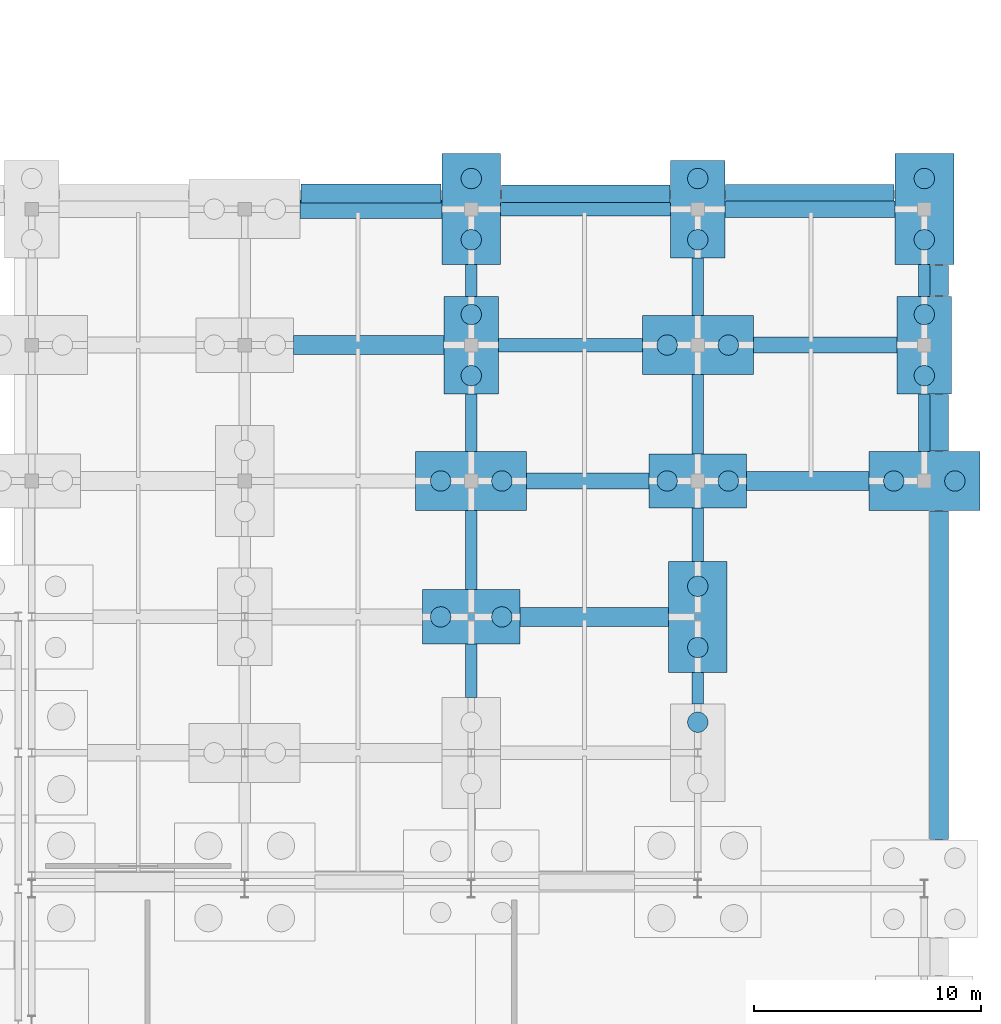
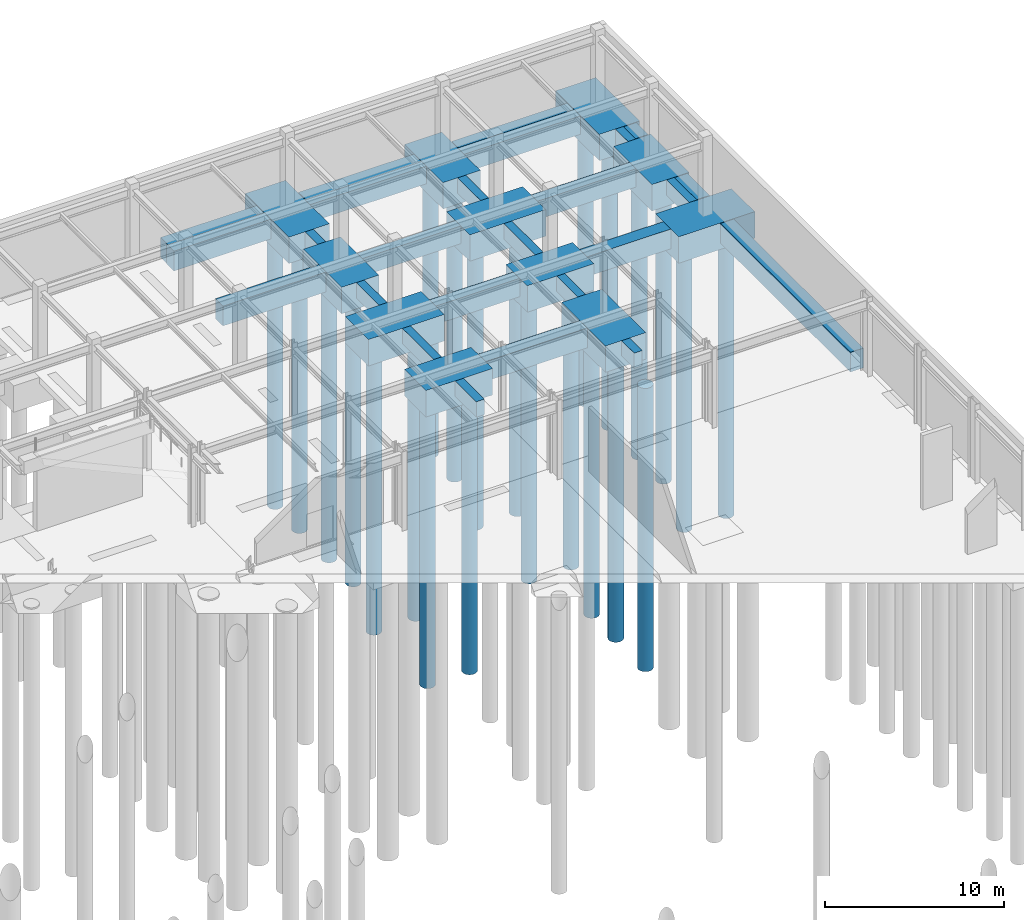
# One storey, part 12 of 65: 36 footings, 23 piles.
"""IFC4 building model written with IfcOpenShell, lengths in metres."""

from ifc_helpers import new_model, si_unit, direction, frame, origin, origin_2d, place, context, subcontext, project, spatial, rectangle, circle, extrude, material, material_profile, profile_set, type_object, element, save


model = new_model("IFC4")

# Units and contexts
model_context = context("Model", 3, precision=1e-05, world=origin(), true_north=direction((0.0, 1.0)))
body_context = subcontext(model_context, "Body", "Model", "MODEL_VIEW")
ifc_project = project(units=[si_unit("LENGTHUNIT", "METRE"), si_unit("AREAUNIT", "SQUARE_METRE"), si_unit("VOLUMEUNIT", "CUBIC_METRE"), si_unit("PLANEANGLEUNIT", "RADIAN"), si_unit("MASSUNIT", "GRAM", prefix="KILO")], contexts=[model_context])

# Site, building, storey
site_placement = place(None, origin())
site = spatial("IfcSite", under=ifc_project, at=site_placement, CompositionType="ELEMENT")
building_placement = place(site_placement, origin())
building = spatial("IfcBuilding", under=site, at=building_placement, Name="Kaldris Quays Convention Centre", CompositionType="ELEMENT")
storey_placement = place(building_placement, frame((0.0, 0.0, -5.39990234375)))
storey = spatial("IfcBuildingStorey", under=building, at=storey_placement, Name="B1", CompositionType="ELEMENT", Elevation=-5.39990234375)

# Piles
ifc_material = material(Name="Concrete C35/45", Category="concrete")
ifc_material_profile = material_profile(ifc_material, circle(Radius=0.449951171875, at=origin_2d()), Name="BORED PILE D900")
ifc_profile_set = profile_set([ifc_material_profile], Name="Concrete C35/45")
pile_type = type_object("IfcPileType", Name="BORED PILE P01", PredefinedType="BORED", material=ifc_profile_set)
for number, where, z_axis, x_axis, name in (
    (1, (182.64990234375, 116.0, -1.7001953125), (0.0, 0.0, -1.0), (1.0, 0.0, 0.0), "Bored Pile P01 689"),
    (2, (185.35009765625, 116.0, -1.7001953125), (0.0, 0.0, -1.0), (1.0, 0.0, 0.0), "Bored Pile P01 690"),
    (3, (182.64990234375, 122.0, -1.7001953125), (0.0, 0.0, -1.0), (1.0, 0.0, 0.0), "Bored Pile P01 691"),
    (4, (185.35009765625, 122.0, -1.7001953125), (0.0, 0.0, -1.0), (1.0, 0.0, 0.0), "Bored Pile P01 692"),
    (5, (184.0, 126.64990234375, -1.7001953125), (0.0, 0.0, -1.0), (1.0, 0.0, 0.0), "Bored Pile P01 693"),
    (6, (184.0, 129.35009765625, -1.7001953125), (0.0, 0.0, -1.0), (1.0, 0.0, 0.0), "Bored Pile P01 694"),
    (7, (184.0, 132.64990234375, -1.7001953125), (0.0, 0.0, -1.0), (1.0, 0.0, 0.0), "Bored Pile P01 695"),
    (8, (184.0, 135.35009765625, -1.7001953125), (0.0, 0.0, -1.0), (1.0, 0.0, 0.0), "Bored Pile P01 696"),
    (9, (194.0, 111.35009765625, -1.7001953125), (0.0, 0.0, -1.0), (1.0, 0.0, 0.0), "Bored Pile P01 724"),
    (10, (194.0, 114.64990234375, -1.7001953125), (0.0, 0.0, -1.0), (1.0, 0.0, 0.0), "Bored Pile P01 725"),
    (11, (194.0, 117.35009765625, -1.7001953125), (0.0, 0.0, -1.0), (1.0, 0.0, 0.0), "Bored Pile P01 726"),
    (12, (192.64990234375, 122.0, -1.7001953125), (0.0, 0.0, -1.0), (1.0, 0.0, 0.0), "Bored Pile P01 727"),
    (13, (195.35009765625, 122.0, -1.7001953125), (0.0, 0.0, -1.0), (1.0, 0.0, 0.0), "Bored Pile P01 728"),
    (14, (192.64990234375, 128.0, -1.7001953125), (0.0, 0.0, -1.0), (1.0, 0.0, 0.0), "Bored Pile P01 729"),
    (15, (195.35009765625, 128.0, -1.7001953125), (0.0, 0.0, -1.0), (1.0, 0.0, 0.0), "Bored Pile P01 730"),
    (16, (194.0, 132.64990234375, -1.7001953125), (0.0, 0.0, -1.0), (1.0, 0.0, 0.0), "Bored Pile P01 731"),
    (17, (194.0, 135.35009765625, -1.7001953125), (0.0, 0.0, -1.0), (1.0, 0.0, 0.0), "Bored Pile P01 732"),
    (18, (202.64990234375, 122.0, -1.7001953125), (0.0, 0.0, -1.0), (1.0, 0.0, 0.0), "Bored Pile P01 779"),
    (19, (205.35009765625, 122.0, -1.7001953125), (0.0, 0.0, -1.0), (1.0, 0.0, 0.0), "Bored Pile P01 780"),
    (20, (204.0, 126.64990234375, -1.7001953125), (0.0, 0.0, -1.0), (1.0, 0.0, 0.0), "Bored Pile P01 781"),
    (21, (204.0, 129.35009765625, -1.7001953125), (0.0, 0.0, -1.0), (1.0, 0.0, 0.0), "Bored Pile P01 782"),
    (22, (204.0, 132.64990234375, -1.7001953125), (0.0, 0.0, -1.0), (1.0, 0.0, 0.0), "Bored Pile P01 783"),
    (23, (204.0, 135.35009765625, -1.7001953125), (0.0, 0.0, -1.0), (1.0, 0.0, 0.0), "Bored Pile P01 784"),
):
    element("IfcPile", number, at=place(storey_placement, frame(where, z_axis=z_axis, x_axis=x_axis)), inside=storey, type_object=pile_type, Name=name, PredefinedType="BORED", context=body_context, shape_type="SweptSolid", body=[
        extrude(circle(Radius=0.449951171875, at=origin_2d()), origin(), (0.0, 0.0, 1.0), 19.300048828125),
    ])

# Footings
footing_type_1 = type_object("IfcFootingType", Name="CONCRETE FOOTING PC02", PredefinedType="PILE_CAP", material=ifc_material)
for number, where, z_axis, x_axis, name in (
    (24, (184.0, 116.0, -1.80029296875), (0.0, 0.0, 1.0), (1.0, 0.0, 0.0), "Pile Cap CAP-205 (PC02)"),
    (25, (194.0, 122.0, -1.80029296875), (0.0, 0.0, 1.0), (1.0, 0.0, 0.0), "Pile Cap CAP-221 (PC02)"),
):
    element("IfcFooting", number, at=place(storey_placement, frame(where, z_axis=z_axis, x_axis=x_axis)), inside=storey, type_object=footing_type_1, Name=name, PredefinedType="PILE_CAP", context=body_context, shape_type="SweptSolid", body=[
        extrude(rectangle(XDim=4.300048828125, YDim=2.39990234375, at=origin_2d()), origin(), (0.0, 0.0, 1.0), 1.800048828125),
    ])
footing_type_2 = type_object("IfcFootingType", Name="CONCRETE FOOTING PC03", PredefinedType="PILE_CAP", material=ifc_material)
for number, where, z_axis, x_axis, name in (
    (26, (184.0, 128.0, -1.80029296875), (0.0, 0.0, 1.0), (1.0, 0.0, 0.0), "Pile Cap CAP-207 (PC03)"),
    (27, (194.0, 134.0, -1.80029296875), (0.0, 0.0, 1.0), (1.0, 0.0, 0.0), "Pile Cap CAP-223 (PC03)"),
    (28, (204.0, 128.0, -1.80029296875), (0.0, 0.0, 1.0), (1.0, 0.0, 0.0), "Pile Cap CAP-239 (PC03)"),
):
    element("IfcFooting", number, at=place(storey_placement, frame(where, z_axis=z_axis, x_axis=x_axis)), inside=storey, type_object=footing_type_2, Name=name, PredefinedType="PILE_CAP", context=body_context, shape_type="SweptSolid", body=[
        extrude(rectangle(XDim=2.39990234375, YDim=4.300048828125, at=origin_2d()), origin(), (0.0, 0.0, 1.0), 1.800048828125),
    ])
footing_type_3 = type_object("IfcFootingType", Name="CONCRETE FOOTING PC11", PredefinedType="PILE_CAP", material=ifc_material)
for number, where, z_axis, x_axis, name in (
    (29, (184.0, 122.0, -1.80029296875), (0.0, 0.0, 1.0), (1.0, 0.0, 0.0), "Pile Cap CAP-206 (PC11)"),
    (30, (194.0, 128.0, -1.80029296875), (0.0, 0.0, 1.0), (1.0, 0.0, 0.0), "Pile Cap CAP-222 (PC11)"),
    (31, (204.0, 122.0, -1.80029296875), (0.0, 0.0, 1.0), (1.0, 0.0, 0.0), "Pile Cap CAP-238 (PC11)"),
):
    element("IfcFooting", number, at=place(storey_placement, frame(where, z_axis=z_axis, x_axis=x_axis)), inside=storey, type_object=footing_type_3, Name=name, PredefinedType="PILE_CAP", context=body_context, shape_type="SweptSolid", body=[
        extrude(rectangle(XDim=4.89990234375, YDim=2.60009765625, at=origin_2d()), origin(), (0.0, 0.0, 1.0), 1.800048828125),
    ])
footing_type_4 = type_object("IfcFootingType", Name="CONCRETE FOOTING PC12", PredefinedType="PILE_CAP", material=ifc_material)
for number, where, z_axis, x_axis, name in (
    (32, (184.0, 134.0, -1.80029296875), (0.0, 0.0, 1.0), (1.0, 0.0, 0.0), "Pile Cap CAP-208 (PC12)"),
    (33, (194.0, 116.0, -1.80029296875), (0.0, 0.0, 1.0), (1.0, 0.0, 0.0), "Pile Cap CAP-220 (PC12)"),
    (34, (204.0, 134.0, -1.80029296875), (0.0, 0.0, 1.0), (1.0, 0.0, 0.0), "Pile Cap CAP-240 (PC12)"),
):
    element("IfcFooting", number, at=place(storey_placement, frame(where, z_axis=z_axis, x_axis=x_axis)), inside=storey, type_object=footing_type_4, Name=name, PredefinedType="PILE_CAP", context=body_context, shape_type="SweptSolid", body=[
        extrude(rectangle(XDim=2.60009765625, YDim=4.89990234375, at=origin_2d()), origin(), (0.0, 0.0, 1.0), 1.800048828125),
    ])
footing_type_5 = type_object("IfcFootingType", Name="GROUND TIE BEAM GB01", PredefinedType="FOOTING_BEAM", material=ifc_material)
footing_1_placement = place(storey_placement, frame((188.375, 128.0, -1.2001953125), z_axis=(0.0, 0.0, 1.0), x_axis=(1.0, 0.0, 0.0)))
element("IfcFooting", 35, at=footing_1_placement, inside=storey, type_object=footing_type_5, Name="Ground Tie Beam GB01 147", PredefinedType="FOOTING_BEAM", context=body_context, shape_type="SweptSolid", body=[
    extrude(rectangle(XDim=6.35009765625, YDim=0.60009765625, at=origin_2d()), origin(), (0.0, 0.0, 1.0), 1.199951171875),
])
footing_2_placement = place(storey_placement, frame((189.050048828125, 134.0, -1.2001953125), z_axis=(0.0, 0.0, 1.0), x_axis=(1.0, 0.0, 0.0)))
element("IfcFooting", 36, at=footing_2_placement, inside=storey, type_object=footing_type_5, Name="Ground Tie Beam GB01 159", PredefinedType="FOOTING_BEAM", context=body_context, shape_type="SweptSolid", body=[
    extrude(rectangle(XDim=7.5, YDim=0.60009765625, at=origin_2d()), origin(), (0.0, 0.0, 1.0), 1.199951171875),
])
footing_type_6 = type_object("IfcFootingType", Name="GROUND TIE BEAM GB02", PredefinedType="FOOTING_BEAM", material=ifc_material)
footing_3_placement = place(storey_placement, frame((189.14990234375, 122.0, -1.25), z_axis=(0.0, 0.0, 1.0), x_axis=(1.0, 0.0, 0.0)))
element("IfcFooting", 37, at=footing_3_placement, inside=storey, type_object=footing_type_6, Name="Ground Tie Beam GB02 142", PredefinedType="FOOTING_BEAM", context=body_context, shape_type="SweptSolid", body=[
    extrude(rectangle(XDim=5.39990234375, YDim=0.719970703125, at=origin_2d()), origin(), (0.0, 0.0, 1.0), 1.25),
])
footing_4_placement = place(storey_placement, frame((199.625, 128.0, -1.25), z_axis=(0.0, 0.0, 1.0), x_axis=(1.0, 0.0, 0.0)))
element("IfcFooting", 38, at=footing_4_placement, inside=storey, type_object=footing_type_6, Name="Ground Tie Beam GB02 148", PredefinedType="FOOTING_BEAM", context=body_context, shape_type="SweptSolid", body=[
    extrude(rectangle(XDim=6.35009765625, YDim=0.719970703125, at=origin_2d()), origin(), (0.0, 0.0, 1.0), 1.25),
])
footing_5_placement = place(storey_placement, frame((198.949951171875, 134.0, -1.25), z_axis=(0.0, 0.0, 1.0), x_axis=(1.0, 0.0, 0.0)))
element("IfcFooting", 39, at=footing_5_placement, inside=storey, type_object=footing_type_6, Name="Ground Tie Beam GB02 160", PredefinedType="FOOTING_BEAM", context=body_context, shape_type="SweptSolid", body=[
    extrude(rectangle(XDim=7.5, YDim=0.719970703125, at=origin_2d()), origin(), (0.0, 0.0, 1.0), 1.25),
])
footing_type_7 = type_object("IfcFootingType", Name="GROUND TIE BEAM GB03", PredefinedType="FOOTING_BEAM", material=ifc_material)
footing_6_placement = place(storey_placement, frame((184.0, 113.625, -1.05029296875), z_axis=(0.0, 0.0, 1.0), x_axis=(1.0, 0.0, 0.0)))
element("IfcFooting", 40, at=footing_6_placement, inside=storey, type_object=footing_type_7, Name="Ground Tie Beam GB03 308", PredefinedType="FOOTING_BEAM", context=body_context, shape_type="SweptSolid", body=[
    extrude(rectangle(XDim=0.52001953125, YDim=2.35009765625, at=origin_2d()), origin(), (0.0, 0.0, 1.0), 1.050048828125),
])
footing_7_placement = place(storey_placement, frame((184.0, 118.949951171875, -1.05029296875), z_axis=(0.0, 0.0, 1.0), x_axis=(1.0, 0.0, 0.0)))
element("IfcFooting", 41, at=footing_7_placement, inside=storey, type_object=footing_type_7, Name="Ground Tie Beam GB03 309", PredefinedType="FOOTING_BEAM", context=body_context, shape_type="SweptSolid", body=[
    extrude(rectangle(XDim=0.52001953125, YDim=3.5, at=origin_2d()), origin(), (0.0, 0.0, 1.0), 1.050048828125),
])
footing_8_placement = place(storey_placement, frame((184.0, 124.574951171875, -1.05029296875), z_axis=(0.0, 0.0, 1.0), x_axis=(1.0, 0.0, 0.0)))
element("IfcFooting", 42, at=footing_8_placement, inside=storey, type_object=footing_type_7, Name="Ground Tie Beam GB03 310", PredefinedType="FOOTING_BEAM", context=body_context, shape_type="SweptSolid", body=[
    extrude(rectangle(XDim=0.52001953125, YDim=2.550048828125, at=origin_2d()), origin(), (0.0, 0.0, 1.0), 1.050048828125),
])
for number, where, z_axis, x_axis, name in (
    (43, (184.0, 130.85009765625, -1.05029296875), (0.0, 0.0, 1.0), (1.0, 0.0, 0.0), "Ground Tie Beam GB03 311"),
    (44, (194.0, 112.85009765625, -1.05029296875), (0.0, 0.0, 1.0), (1.0, 0.0, 0.0), "Ground Tie Beam GB03 319"),
):
    element("IfcFooting", number, at=place(storey_placement, frame(where, z_axis=z_axis, x_axis=x_axis)), inside=storey, type_object=footing_type_7, Name=name, PredefinedType="FOOTING_BEAM", context=body_context, shape_type="SweptSolid", body=[
        extrude(rectangle(XDim=0.52001953125, YDim=1.39990234375, at=origin_2d()), origin(), (0.0, 0.0, 1.0), 1.050048828125),
    ])
footing_9_placement = place(storey_placement, frame((194.0, 119.625, -1.05029296875), z_axis=(0.0, 0.0, 1.0), x_axis=(1.0, 0.0, 0.0)))
element("IfcFooting", 45, at=footing_9_placement, inside=storey, type_object=footing_type_7, Name="Ground Tie Beam GB03 320", PredefinedType="FOOTING_BEAM", context=body_context, shape_type="SweptSolid", body=[
    extrude(rectangle(XDim=0.52001953125, YDim=2.35009765625, at=origin_2d()), origin(), (0.0, 0.0, 1.0), 1.050048828125),
])
footing_10_placement = place(storey_placement, frame((194.0, 124.949951171875, -1.05029296875), z_axis=(0.0, 0.0, 1.0), x_axis=(1.0, 0.0, 0.0)))
element("IfcFooting", 46, at=footing_10_placement, inside=storey, type_object=footing_type_7, Name="Ground Tie Beam GB03 321", PredefinedType="FOOTING_BEAM", context=body_context, shape_type="SweptSolid", body=[
    extrude(rectangle(XDim=0.52001953125, YDim=3.5, at=origin_2d()), origin(), (0.0, 0.0, 1.0), 1.050048828125),
])
for number, where, z_axis, x_axis, name in (
    (47, (194.0, 130.574951171875, -1.05029296875), (0.0, 0.0, 1.0), (1.0, 0.0, 0.0), "Ground Tie Beam GB03 322"),
    (48, (204.0, 124.574951171875, -1.05029296875), (0.0, 0.0, 1.0), (1.0, 0.0, 0.0), "Ground Tie Beam GB03 335"),
):
    element("IfcFooting", number, at=place(storey_placement, frame(where, z_axis=z_axis, x_axis=x_axis)), inside=storey, type_object=footing_type_7, Name=name, PredefinedType="FOOTING_BEAM", context=body_context, shape_type="SweptSolid", body=[
        extrude(rectangle(XDim=0.52001953125, YDim=2.550048828125, at=origin_2d()), origin(), (0.0, 0.0, 1.0), 1.050048828125),
    ])
footing_11_placement = place(storey_placement, frame((204.0, 130.85009765625, -1.05029296875), z_axis=(0.0, 0.0, 1.0), x_axis=(1.0, 0.0, 0.0)))
element("IfcFooting", 49, at=footing_11_placement, inside=storey, type_object=footing_type_7, Name="Ground Tie Beam GB03 336", PredefinedType="FOOTING_BEAM", context=body_context, shape_type="SweptSolid", body=[
    extrude(rectangle(XDim=0.52001953125, YDim=1.39990234375, at=origin_2d()), origin(), (0.0, 0.0, 1.0), 1.050048828125),
])
footing_type_8 = type_object("IfcFootingType", Name="GROUND TIE BEAM GB04", PredefinedType="FOOTING_BEAM", material=ifc_material)
footing_12_placement = place(storey_placement, frame((189.425048828125, 116.0, -1.35009765625), z_axis=(0.0, 0.0, 1.0), x_axis=(1.0, 0.0, 0.0)))
element("IfcFooting", 50, at=footing_12_placement, inside=storey, type_object=footing_type_8, Name="Ground Tie Beam GB04 137", PredefinedType="FOOTING_BEAM", context=body_context, shape_type="SweptSolid", body=[
    extrude(rectangle(XDim=6.550048828125, YDim=0.840087890625, at=origin_2d()), origin(), (0.0, 0.0, 1.0), 1.35009765625),
])
footing_13_placement = place(storey_placement, frame((198.85009765625, 122.0, -1.35009765625), z_axis=(0.0, 0.0, 1.0), x_axis=(1.0, 0.0, 0.0)))
element("IfcFooting", 51, at=footing_13_placement, inside=storey, type_object=footing_type_8, Name="Ground Tie Beam GB04 143", PredefinedType="FOOTING_BEAM", context=body_context, shape_type="SweptSolid", body=[
    extrude(rectangle(XDim=5.39990234375, YDim=0.840087890625, at=origin_2d()), origin(), (0.0, 0.0, 1.0), 1.35009765625),
])
footing_14_placement = place(storey_placement, frame((179.47509765625, 128.0, -1.35009765625), z_axis=(0.0, 0.0, 1.0), x_axis=(1.0, 0.0, 0.0)))
element("IfcFooting", 52, at=footing_14_placement, inside=storey, type_object=footing_type_8, Name="Ground Tie Beam GB04 146", PredefinedType="FOOTING_BEAM", context=body_context, shape_type="SweptSolid", body=[
    extrude(rectangle(XDim=6.64990234375, YDim=0.840087890625, at=origin_2d()), origin(), (0.0, 0.0, 1.0), 1.35009765625),
])
footing_15_placement = place(storey_placement, frame((179.574951171875, 134.0, -1.35009765625), z_axis=(0.0, 0.0, 1.0), x_axis=(1.0, 0.0, 0.0)))
element("IfcFooting", 53, at=footing_15_placement, inside=storey, type_object=footing_type_8, Name="Ground Tie Beam GB04 158", PredefinedType="FOOTING_BEAM", context=body_context, shape_type="SweptSolid", body=[
    extrude(rectangle(XDim=6.25, YDim=0.840087890625, at=origin_2d()), origin(), (0.0, 0.0, 1.0), 1.35009765625),
])
for number, where, z_axis, x_axis, name in (
    (54, (198.949951171875, 134.669921875, -1.35009765625), (0.0, 0.0, 1.0), (1.0, 0.0, 0.0), "Perimeter Retaining Wall Strip Footing GB04 25"),
    (55, (189.050048828125, 134.64990234375, -1.35009765625), (0.0, 0.0, 1.0), (1.0, 0.0, 0.0), "Perimeter Retaining Wall Strip Footing GB04 26"),
):
    element("IfcFooting", number, at=place(storey_placement, frame(where, z_axis=z_axis, x_axis=x_axis)), inside=storey, type_object=footing_type_8, Name=name, PredefinedType="FOOTING_BEAM", context=body_context, shape_type="SweptSolid", body=[
        extrude(rectangle(XDim=7.43994140625, YDim=0.840087890625, at=origin_2d()), origin(), (0.0, 0.0, 1.0), 1.35009765625),
    ])
footing_16_placement = place(storey_placement, frame((179.574951171875, 134.699951171875, -1.35009765625), z_axis=(0.0, 0.0, 1.0), x_axis=(1.0, 0.0, 0.0)))
element("IfcFooting", 56, at=footing_16_placement, inside=storey, type_object=footing_type_8, Name="Perimeter Retaining Wall Strip Footing GB04 27", PredefinedType="FOOTING_BEAM", context=body_context, shape_type="SweptSolid", body=[
    extrude(rectangle(XDim=6.18994140625, YDim=0.840087890625, at=origin_2d()), origin(), (0.0, 0.0, 1.0), 1.35009765625),
])
footing_17_placement = place(storey_placement, frame((204.64990234375, 113.425048828125, -1.35009765625), z_axis=(0.0, 0.0, 1.0), x_axis=(1.0, 0.0, 0.0)))
element("IfcFooting", 57, at=footing_17_placement, inside=storey, type_object=footing_type_8, Name="Perimeter Retaining Wall Strip Footing GB04 42", PredefinedType="FOOTING_BEAM", context=body_context, shape_type="SweptSolid", body=[
    extrude(rectangle(XDim=0.840087890625, YDim=14.489990234375, at=origin_2d()), origin(), (0.0, 0.0, 1.0), 1.35009765625),
])
footing_18_placement = place(storey_placement, frame((204.64990234375, 124.574951171875, -1.35009765625), z_axis=(0.0, 0.0, 1.0), x_axis=(1.0, 0.0, 0.0)))
element("IfcFooting", 58, at=footing_18_placement, inside=storey, type_object=footing_type_8, Name="Perimeter Retaining Wall Strip Footing GB04 43", PredefinedType="FOOTING_BEAM", context=body_context, shape_type="SweptSolid", body=[
    extrude(rectangle(XDim=0.840087890625, YDim=2.489990234375, at=origin_2d()), origin(), (0.0, 0.0, 1.0), 1.35009765625),
])
footing_19_placement = place(storey_placement, frame((204.64990234375, 130.85009765625, -1.35009765625), z_axis=(0.0, 0.0, 1.0), x_axis=(1.0, 0.0, 0.0)))
element("IfcFooting", 59, at=footing_19_placement, inside=storey, type_object=footing_type_8, Name="Perimeter Retaining Wall Strip Footing GB04 44", PredefinedType="FOOTING_BEAM", context=body_context, shape_type="SweptSolid", body=[
    extrude(rectangle(XDim=0.840087890625, YDim=1.340087890625, at=origin_2d()), origin(), (0.0, 0.0, 1.0), 1.35009765625),
])

save(model, "model.ifc")
